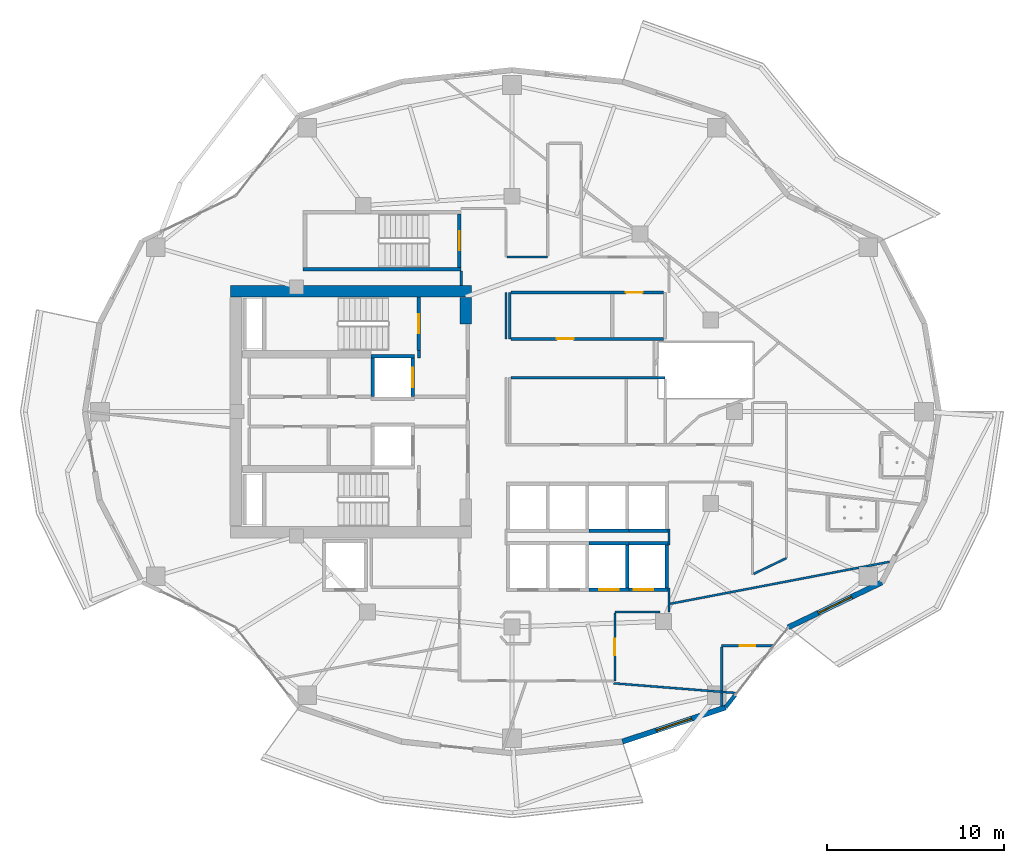
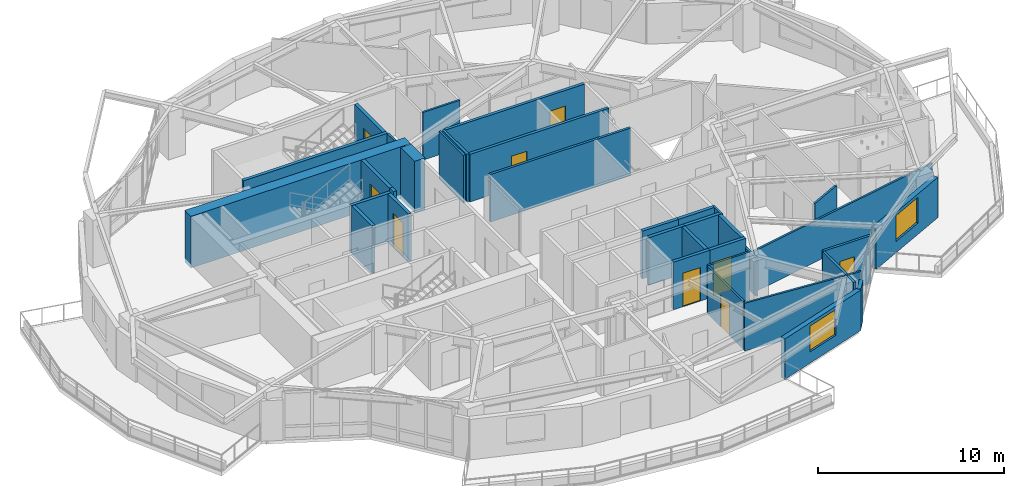
# One storey, part 9 of 18: 37 walls, 9 doors, 2 windows, 11 openings.
"""IFC4 building model written with IfcOpenShell, lengths in metres."""

from ifc_helpers import new_model, si_unit, direction, frame, frame_2d, origin, place, context, subcontext, project, spatial, rectangle, extrude, material, layer, layer_set, type_object, element, fill, save


model = new_model("IFC4")

# Units and contexts
model_context = context("Model", 3, precision=1e-05, world=origin(), true_north=direction((0.0, 1.0)))
body_context = subcontext(model_context, "Body", "Model", "MODEL_VIEW")
ifc_project = project(units=[si_unit("LENGTHUNIT", "METRE"), si_unit("AREAUNIT", "SQUARE_METRE"), si_unit("VOLUMEUNIT", "CUBIC_METRE"), si_unit("PLANEANGLEUNIT", "RADIAN"), si_unit("MASSUNIT", "GRAM", prefix="KILO")], contexts=[model_context])

# Site, building, storey
site_placement = place(None, origin())
site = spatial("IfcSite", under=ifc_project, at=site_placement, CompositionType="ELEMENT")
building_placement = place(site_placement, origin())
building = spatial("IfcBuilding", under=site, at=building_placement, Name="Kolvaren Gate Tower and Convention Centre", CompositionType="ELEMENT")
storey_placement = place(building_placement, frame((0.0, 0.0, 115.5)))
storey = spatial("IfcBuildingStorey", under=building, at=storey_placement, Name="L28", CompositionType="ELEMENT", Elevation=115.5)

# Wall
ifc_material_1 = material(Name="Autoclaved Aerated Masonry Blockwork Class 4 (4.0 MPa)", Category="masonry")
ifc_layer_1 = layer(ifc_material_1, 0.179931640625)
ifc_layer_set_1 = layer_set([ifc_layer_1], Name="Autoclaved Aerated Masonry Blockwork Class 4 (4.0 MPa)")
wall_type_1 = type_object("IfcWallType", Name="ARCH-WL-COMP-180", PredefinedType="SOLIDWALL", material=ifc_layer_set_1)
wall_1_placement = place(storey_placement, frame((24.85009765625, 30.0400390625, 0.0), z_axis=(0.0, 0.0, 1.0), x_axis=(0.0, 1.0, 0.0)))
element("IfcWall", 1, at=wall_1_placement, inside=storey, type_object=wall_type_1, Name="Interior Partition WL-L28-INT-002", PredefinedType="SOLIDWALL", context=body_context, shape_type="SweptSolid", body=[
    extrude(rectangle(XDim=0.419921875, YDim=0.179931640625, at=frame_2d((0.2099609375, 0.0))), origin(), (0.0, 0.0, 1.0), 3.1298828125),
])

# Wall, opening, door
wall_2_placement = place(storey_placement, frame((30.076904296875, 31.1201171875, 0.0), z_axis=(0.0, 0.0, 1.0), x_axis=(1.0, 0.0, 0.0)))
wall_2 = element("IfcWall", 2, at=wall_2_placement, inside=storey, type_object=wall_type_1, Name="Interior Partition WL-L28-INT-019", PredefinedType="SOLIDWALL", context=body_context, shape_type="SweptSolid", body=[
    extrude(rectangle(XDim=8.631103515625, YDim=0.179931640625, at=frame_2d((4.3154296875, 0.0))), origin(), (0.0, 0.0, 1.0), 3.1298828125),
])
opening_1_placement = place(wall_2_placement, frame((2.591552734375, 0.0, 0.0)))
opening_1 = element("IfcOpeningElement", 3, at=opening_1_placement, cuts=wall_2, Name="Opening DR-01", PredefinedType="OPENING", context=body_context, shape_type="SweptSolid", body=[
    extrude(rectangle(XDim=0.949951171875, YDim=2.10009765625, at=frame_2d((0.47509765625, 1.050048828125))), frame((0.0, 0.099853515625, 0.0), z_axis=(0.0, -1.0, 0.0), x_axis=(1.0, 0.0, 0.0)), (0.0, 0.0, 1.0), 0.199951171875),
])
ifc_material_2 = material(Name="Painted Architectural Steelwork ASTM A500 Grade C 345 MPa", Category="steel")
door_type_1 = type_object("IfcDoorType", Name="ARCH-DR-RISER-950", OperationType="SINGLE_SWING_RIGHT", PredefinedType="DOOR", material=ifc_material_2)
door_1_placement = place(opening_1_placement, origin())
door_1 = element("IfcDoor", 4, at=door_1_placement, inside=storey, type_object=door_type_1, Name="Steward Supply Store Door", OperationType="SINGLE_SWING_RIGHT", OverallHeight=2.10009765625, OverallWidth=0.949951171875, PredefinedType="DOOR", context=body_context, shape_type="SweptSolid", body=[
    extrude(rectangle(XDim=0.949951171875, YDim=2.10009765625, at=frame_2d((0.47509765625, 1.050048828125))), frame((0.0, 0.02490234375, 0.0), z_axis=(0.0, -1.0, 0.0), x_axis=(1.0, 0.0, 0.0)), (0.0, 0.0, 1.0), 0.050048828125),
])
fill(opening_1, door_1)

wall_3_placement = place(storey_placement, frame((30.076904296875, 33.75, 0.0), z_axis=(0.0, 0.0, 1.0), x_axis=(1.0, 0.0, 0.0)))
wall_3 = element("IfcWall", 5, at=wall_3_placement, inside=storey, type_object=wall_type_1, Name="Interior Partition WL-L28-INT-020", PredefinedType="SOLIDWALL", context=body_context, shape_type="SweptSolid", body=[
    extrude(rectangle(XDim=8.631103515625, YDim=0.179931640625, at=frame_2d((4.3154296875, 0.0))), origin(), (0.0, 0.0, 1.0), 3.1298828125),
])
opening_2_placement = place(wall_3_placement, frame((6.4970703125, 0.0, 0.0)))
opening_2 = element("IfcOpeningElement", 6, at=opening_2_placement, cuts=wall_3, Name="Opening DR-01", PredefinedType="OPENING", context=body_context, shape_type="SweptSolid", body=[
    extrude(rectangle(XDim=0.949951171875, YDim=2.10009765625, at=frame_2d((0.47509765625, 1.050048828125))), frame((0.0, 0.099853515625, 0.0), z_axis=(0.0, -1.0, 0.0), x_axis=(1.0, 0.0, 0.0)), (0.0, 0.0, 1.0), 0.199951171875),
])
door_2_placement = place(opening_2_placement, origin())
door_2 = element("IfcDoor", 7, at=door_2_placement, inside=storey, type_object=door_type_1, Name="Floor Telecom Switch Room Door", OperationType="SINGLE_SWING_LEFT", OverallHeight=2.10009765625, OverallWidth=0.949951171875, PredefinedType="DOOR", context=body_context, shape_type="SweptSolid", body=[
    extrude(rectangle(XDim=0.949951171875, YDim=2.10009765625, at=frame_2d((0.47509765625, 1.050048828125))), frame((0.0, 0.02490234375, 0.0), z_axis=(0.0, -1.0, 0.0), x_axis=(1.0, 0.0, 0.0)), (0.0, 0.0, 1.0), 0.050048828125),
])
fill(opening_2, door_2)

# Walls
ifc_material_3 = material(Name="Fire-Rated Acoustic Gypsum Stud Partition", Category="gypsum")
ifc_layer_2 = layer(ifc_material_3, 0.1201171875)
ifc_layer_set_2 = layer_set([ifc_layer_2], Name="Fire-Rated Acoustic Gypsum Stud Partition")
wall_type_2 = type_object("IfcWallType", Name="ARCH-WL-PART-120", PredefinedType="PARTITIONING", material=ifc_layer_set_2)
wall_4_placement = place(storey_placement, frame((39.02001953125, 15.64990234375, 0.0), z_axis=(0.0, 0.0, 1.0), x_axis=(0.0, 1.0, 0.0)))
element("IfcWall", 8, at=wall_4_placement, inside=storey, type_object=wall_type_2, Name="Interior Partition WL-L28-INT-022", PredefinedType="PARTITIONING", context=body_context, shape_type="SweptSolid", body=[
    extrude(rectangle(XDim=1.360107421875, YDim=0.1201171875, at=frame_2d((0.68017578125, 0.0))), origin(), (0.0, 0.0, 1.0), 2.5048828125),
])
wall_5_placement = place(storey_placement, frame((39.02001953125, 19.43994140625, 0.0), z_axis=(0.0, 0.0, 1.0), x_axis=(0.0, 1.0, 0.0)))
element("IfcWall", 9, at=wall_5_placement, inside=storey, type_object=wall_type_2, Name="Interior Partition WL-L28-INT-022 (2)", PredefinedType="PARTITIONING", context=body_context, shape_type="SweptSolid", body=[
    extrude(rectangle(XDim=0.920166015625, YDim=0.1201171875, at=frame_2d((0.4599609375, 0.0))), origin(), (0.0, 0.0, 1.0), 3.1298828125),
])
wall_6_placement = place(storey_placement, frame((35.949951171875, 15.64990234375, 0.0), z_axis=(0.0, 0.0, 1.0), x_axis=(1.0, 0.0, 0.0)))
element("IfcWall", 10, at=wall_6_placement, inside=storey, type_object=wall_type_2, Name="Interior Partition WL-L28-INT-025", PredefinedType="PARTITIONING", context=body_context, shape_type="SweptSolid", body=[
    extrude(rectangle(XDim=2.568115234375, YDim=0.1201171875, at=frame_2d((1.2841796875, 0.0))), origin(), (0.0, 0.0, 1.0), 3.1298828125),
])

# Wall, opening, door
wall_7_placement = place(storey_placement, frame((35.949951171875, 11.75, 0.0), z_axis=(0.0, 0.0, 1.0), x_axis=(0.0, 1.0, 0.0)))
wall_7 = element("IfcWall", 11, at=wall_7_placement, inside=storey, type_object=wall_type_2, Name="Interior Partition WL-L28-INT-026", PredefinedType="PARTITIONING", context=body_context, shape_type="SweptSolid", body=[
    extrude(rectangle(XDim=3.837890625, YDim=0.1201171875, at=frame_2d((1.9189453125, 0.0))), origin(), (0.0, 0.0, 1.0), 3.1298828125),
])
opening_3_placement = place(wall_7_placement, frame((1.444091796875, 0.0, 0.0)))
opening_3 = element("IfcOpeningElement", 12, at=opening_3_placement, cuts=wall_7, Name="Opening DR-01", PredefinedType="OPENING", context=body_context, shape_type="SweptSolid", body=[
    extrude(rectangle(XDim=0.949951171875, YDim=2.10009765625, at=frame_2d((0.47509765625, 1.050048828125))), frame((0.0, 0.070068359375, 0.0), z_axis=(0.0, -1.0, 0.0), x_axis=(1.0, 0.0, 0.0)), (0.0, 0.0, 1.0), 0.14013671875),
])
door_3_placement = place(opening_3_placement, origin())
door_3 = element("IfcDoor", 13, at=door_3_placement, inside=storey, type_object=door_type_1, Name="Deluxe Hotel Suite (HTL-L28-04) Door", OperationType="SINGLE_SWING_LEFT", OverallHeight=2.10009765625, OverallWidth=0.949951171875, PredefinedType="DOOR", context=body_context, shape_type="SweptSolid", body=[
    extrude(rectangle(XDim=0.949951171875, YDim=2.10009765625, at=frame_2d((0.47509765625, 1.050048828125))), frame((0.0, 0.02490234375, 0.0), z_axis=(0.0, -1.0, 0.0), x_axis=(1.0, 0.0, 0.0)), (0.0, 0.0, 1.0), 0.050048828125),
])
fill(opening_3, door_3)

# Walls
wall_8_placement = place(storey_placement, frame((27.25, 34.152099609375, 0.0), z_axis=(0.0, 0.0, 1.0), x_axis=(0.0, 1.0, 0.0)))
element("IfcWall", 14, at=wall_8_placement, inside=storey, type_object=wall_type_2, Name="Interior Partition WL-L28-INT-028", PredefinedType="PARTITIONING", context=body_context, shape_type="SweptSolid", body=[
    extrude(rectangle(XDim=0.805908203125, YDim=0.1201171875, at=frame_2d((0.40283203125, 0.0))), origin(), (0.0, 0.0, 1.0), 3.1298828125),
])
wall_9_placement = place(storey_placement, frame((29.780029296875, 31.1201171875, 0.0), z_axis=(0.0, 0.0, 1.0), x_axis=(0.0, 1.0, 0.0)))
element("IfcWall", 15, at=wall_9_placement, inside=storey, type_object=wall_type_2, Name="Interior Partition WL-L28-INT-032", PredefinedType="PARTITIONING", context=body_context, shape_type="SweptSolid", body=[
    extrude(rectangle(XDim=2.6298828125, YDim=0.1201171875, at=frame_2d((1.31494140625, 0.0))), origin(), (0.0, 0.0, 1.0), 3.1298828125),
])
wall_10_placement = place(storey_placement, frame((29.842041015625, 35.75, 0.0), z_axis=(0.0, 0.0, 1.0), x_axis=(1.0, 0.0, 0.0)))
element("IfcWall", 16, at=wall_10_placement, inside=storey, type_object=wall_type_2, Name="Interior Partition WL-L28-INT-034", PredefinedType="PARTITIONING", context=body_context, shape_type="SweptSolid", body=[
    extrude(rectangle(XDim=2.307861328125, YDim=0.1201171875, at=frame_2d((1.15380859375, 0.0))), origin(), (0.0, 0.0, 1.0), 3.1298828125),
])
wall_11_placement = place(storey_placement, frame((43.81201171875, 17.808837890625, 0.0), z_axis=(0.0, 0.0, 1.0), x_axis=(0.901467594949, 0.432846595525, 0.0)))
element("IfcWall", 17, at=wall_11_placement, inside=storey, type_object=wall_type_2, Name="Interior Partition WL-L28-INT-044", PredefinedType="PARTITIONING", context=body_context, shape_type="SweptSolid", body=[
    extrude(rectangle(XDim=2.06103515625, YDim=0.1201171875, at=frame_2d((1.030517578125, 0.0))), origin(), (0.0, 0.0, 1.0), 3.1298828125),
])
wall_12_placement = place(storey_placement, frame((39.08203125, 16.113525390625, 0.0), z_axis=(0.0, 0.0, 1.0), x_axis=(0.982162094293, 0.188036221334, 0.0)))
element("IfcWall", 18, at=wall_12_placement, inside=storey, type_object=wall_type_2, Name="Interior Partition WL-L28-INT-054", PredefinedType="PARTITIONING", context=body_context, shape_type="SweptSolid", body=[
    extrude(rectangle(XDim=12.648681640625, YDim=0.1201171875, at=frame_2d((6.32421875, 0.0))), origin(), (0.0, 0.0, 1.0), 2.702392578125),
])
wall_13_placement = place(storey_placement, frame((35.887939453125, 11.6103515625, 0.0), z_axis=(0.0, 0.0, 1.0), x_axis=(0.996863812192, -0.079136211323, 0.0)))
element("IfcWall", 19, at=wall_13_placement, inside=storey, type_object=wall_type_2, Name="Interior Partition WL-L28-INT-056", PredefinedType="PARTITIONING", context=body_context, shape_type="SweptSolid", body=[
    extrude(rectangle(XDim=6.962890625, YDim=0.1201171875, at=frame_2d((3.4814453125, 0.0))), origin(), (0.0, 0.0, 1.0), 3.1298828125),
])
ifc_material_4 = material(Name="Bogota Sabana Bush-Hammered Sandstone Cladding", Category="masonry")
ifc_layer_3 = layer(ifc_material_4, 0.219970703125)
ifc_layer_set_3 = layer_set([ifc_layer_3], Name="Bogota Sabana Bush-Hammered Sandstone Cladding")
wall_type_3 = type_object("IfcWallType", Name="ARCH-WL-PIER-220", PredefinedType="SOLIDWALL", material=ifc_layer_set_3)
wall_14_placement = place(storey_placement, frame((42.21875, 10.242431640625, 0.0), z_axis=(0.0, 0.0, 1.0), x_axis=(0.61650363284, 0.787352062736, 0.0)))
element("IfcWall", 20, at=wall_14_placement, inside=storey, type_object=wall_type_3, Name="Tower L28 Unitised Curtain Wall CW-HTL-UNIT Bay 20 Left Column Pier Wrap", PredefinedType="SOLIDWALL", context=body_context, shape_type="SweptSolid", body=[
    extrude(rectangle(XDim=0.8759765625, YDim=0.219970703125, at=frame_2d((0.43798828125, 0.0))), origin(), (0.0, 0.0, 1.0), 2.653076171875),
])
ifc_layer_4 = layer(ifc_material_1, 0.199951171875)
ifc_layer_set_4 = layer_set([ifc_layer_4], Name="Autoclaved Aerated Masonry Blockwork Class 4 (4.0 MPa)")
wall_type_4 = type_object("IfcWallType", Name="ARCH-WL-SHAFT-200", PredefinedType="SOLIDWALL", material=ifc_layer_set_4)
wall_15_placement = place(storey_placement, frame((22.14990234375, 30.139892578125, 0.0), z_axis=(0.0, 0.0, 1.0), x_axis=(1.0, 0.0, 0.0)))
element("IfcWall", 21, at=wall_15_placement, inside=storey, type_object=wall_type_4, Name="Elevator FF-01 L28 Fire Shaft Wall N", PredefinedType="SOLIDWALL", context=body_context, shape_type="SweptSolid", body=[
    extrude(rectangle(XDim=2.4501953125, YDim=0.199951171875, at=frame_2d((1.22509765625, 0.0))), origin(), (0.0, 0.0, 1.0), 3.1298828125),
])
wall_16_placement = place(storey_placement, frame((22.25, 27.85009765625, 0.0), z_axis=(0.0, 0.0, 1.0), x_axis=(0.0, 1.0, 0.0)))
element("IfcWall", 22, at=wall_16_placement, inside=storey, type_object=wall_type_4, Name="Elevator FF-01 L28 Fire Shaft Wall W", PredefinedType="SOLIDWALL", context=body_context, shape_type="SweptSolid", body=[
    extrude(rectangle(XDim=2.179931640625, YDim=0.199951171875, at=frame_2d((1.08984375, 0.0))), origin(), (0.0, 0.0, 1.0), 3.1298828125),
])

# Wall, opening, door
wall_17_placement = place(storey_placement, frame((24.5, 27.85009765625, 0.0), z_axis=(0.0, 0.0, 1.0), x_axis=(0.0, 1.0, 0.0)))
wall_17 = element("IfcWall", 23, at=wall_17_placement, inside=storey, type_object=wall_type_4, Name="Elevator FF-01 L28 Fire Shaft Wall E", PredefinedType="SOLIDWALL", context=body_context, shape_type="SweptSolid", body=[
    extrude(rectangle(XDim=2.179931640625, YDim=0.199951171875, at=frame_2d((1.08984375, 0.0))), origin(), (0.0, 0.0, 1.0), 3.1298828125),
])
opening_4_placement = place(wall_17_placement, frame((0.5400390625, 0.0, 0.0)))
opening_4 = element("IfcOpeningElement", 24, at=opening_4_placement, cuts=wall_17, Name="Opening LD", PredefinedType="OPENING", context=body_context, shape_type="SweptSolid", body=[
    extrude(rectangle(XDim=1.10009765625, YDim=2.199951171875, at=frame_2d((0.550048828125, 1.10009765625))), frame((0.0, 0.10986328125, 0.0), z_axis=(0.0, -1.0, 0.0), x_axis=(1.0, 0.0, 0.0)), (0.0, 0.0, 1.0), 0.219970703125),
])
ifc_material_5 = material(Name="Brushed Stainless Steel Grade 316L", Category="steel")
door_type_2 = type_object("IfcDoorType", Name="ARCH-DR-LIFT-1100", OperationType="SLIDING_TO_LEFT", PredefinedType="DOOR", material=ifc_material_5)
door_4_placement = place(opening_4_placement, origin())
door_4 = element("IfcDoor", 25, at=door_4_placement, inside=storey, type_object=door_type_2, Name="Elevator FF-01 L28 Sliding Landing Door", OperationType="SLIDING_TO_LEFT", OverallHeight=2.199951171875, OverallWidth=1.10009765625, PredefinedType="DOOR", context=body_context, shape_type="SweptSolid", body=[
    extrude(rectangle(XDim=1.10009765625, YDim=2.199951171875, at=frame_2d((0.550048828125, 1.10009765625))), frame((0.0, 0.02490234375, 0.0), z_axis=(0.0, -1.0, 0.0), x_axis=(1.0, 0.0, 0.0)), (0.0, 0.0, 1.0), 0.050048828125),
])
fill(opening_4, door_4)

# Wall
wall_18_placement = place(storey_placement, frame((34.5, 19.550048828125, 0.0), z_axis=(0.0, 0.0, 1.0), x_axis=(1.0, 0.0, 0.0)))
element("IfcWall", 26, at=wall_18_placement, inside=storey, type_object=wall_type_4, Name="Elevator PL-07 L28 Fire Shaft Wall N", PredefinedType="SOLIDWALL", context=body_context, shape_type="SweptSolid", body=[
    extrude(rectangle(XDim=2.25, YDim=0.199951171875, at=frame_2d((1.125, 0.0))), origin(), (0.0, 0.0, 1.0), 3.1298828125),
])

# Wall, opening, door
wall_19_placement = place(storey_placement, frame((34.5, 16.89990234375, 0.0), z_axis=(0.0, 0.0, 1.0), x_axis=(1.0, 0.0, 0.0)))
wall_19 = element("IfcWall", 27, at=wall_19_placement, inside=storey, type_object=wall_type_4, Name="Elevator PL-07 L28 Fire Shaft Wall S", PredefinedType="SOLIDWALL", context=body_context, shape_type="SweptSolid", body=[
    extrude(rectangle(XDim=2.25, YDim=0.199951171875, at=frame_2d((1.125, 0.0))), origin(), (0.0, 0.0, 1.0), 3.1298828125),
])
opening_5_placement = place(wall_19_placement, frame((0.574951171875, 0.0, 0.0)))
opening_5 = element("IfcOpeningElement", 28, at=opening_5_placement, cuts=wall_19, Name="Opening LD", PredefinedType="OPENING", context=body_context, shape_type="SweptSolid", body=[
    extrude(rectangle(XDim=1.10009765625, YDim=2.199951171875, at=frame_2d((0.550048828125, 1.10009765625))), frame((0.0, 0.10986328125, 0.0), z_axis=(0.0, -1.0, 0.0), x_axis=(1.0, 0.0, 0.0)), (0.0, 0.0, 1.0), 0.219970703125),
])
door_5_placement = place(opening_5_placement, origin())
door_5 = element("IfcDoor", 29, at=door_5_placement, inside=storey, type_object=door_type_2, Name="Elevator PL-07 L28 Sliding Landing Door", OperationType="SLIDING_TO_LEFT", OverallHeight=2.199951171875, OverallWidth=1.10009765625, PredefinedType="DOOR", context=body_context, shape_type="SweptSolid", body=[
    extrude(rectangle(XDim=1.10009765625, YDim=2.199951171875, at=frame_2d((0.550048828125, 1.10009765625))), frame((0.0, 0.02490234375, 0.0), z_axis=(0.0, -1.0, 0.0), x_axis=(1.0, 0.0, 0.0)), (0.0, 0.0, 1.0), 0.050048828125),
])
fill(opening_5, door_5)

# Walls
wall_20_placement = place(storey_placement, frame((36.64990234375, 17.010009765625, 0.0), z_axis=(0.0, 0.0, 1.0), x_axis=(0.0, 1.0, 0.0)))
element("IfcWall", 30, at=wall_20_placement, inside=storey, type_object=wall_type_4, Name="Elevator PL-07 L28 Fire Shaft Wall E", PredefinedType="SOLIDWALL", context=body_context, shape_type="SweptSolid", body=[
    extrude(rectangle(XDim=2.429931640625, YDim=0.199951171875, at=frame_2d((1.21484375, 0.0))), origin(), (0.0, 0.0, 1.0), 3.1298828125),
])
wall_21_placement = place(storey_placement, frame((36.75, 19.550048828125, 0.0), z_axis=(0.0, 0.0, 1.0), x_axis=(1.0, 0.0, 0.0)))
element("IfcWall", 31, at=wall_21_placement, inside=storey, type_object=wall_type_4, Name="Elevator PL-08 L28 Fire Shaft Wall N", PredefinedType="SOLIDWALL", context=body_context, shape_type="SweptSolid", body=[
    extrude(rectangle(XDim=2.25, YDim=0.199951171875, at=frame_2d((1.125, 0.0))), origin(), (0.0, 0.0, 1.0), 3.1298828125),
])

# Wall, opening, door
wall_22_placement = place(storey_placement, frame((36.75, 16.89990234375, 0.0), z_axis=(0.0, 0.0, 1.0), x_axis=(1.0, 0.0, 0.0)))
wall_22 = element("IfcWall", 32, at=wall_22_placement, inside=storey, type_object=wall_type_4, Name="Elevator PL-08 L28 Fire Shaft Wall S", PredefinedType="SOLIDWALL", context=body_context, shape_type="SweptSolid", body=[
    extrude(rectangle(XDim=2.25, YDim=0.199951171875, at=frame_2d((1.125, 0.0))), origin(), (0.0, 0.0, 1.0), 3.1298828125),
])
opening_6_placement = place(wall_22_placement, frame((0.280029296875, 0.0, 0.0)))
opening_6 = element("IfcOpeningElement", 33, at=opening_6_placement, cuts=wall_22, Name="Opening LD", PredefinedType="OPENING", context=body_context, shape_type="SweptSolid", body=[
    extrude(rectangle(XDim=1.10009765625, YDim=2.199951171875, at=frame_2d((0.550048828125, 1.10009765625))), frame((0.0, 0.10986328125, 0.0), z_axis=(0.0, -1.0, 0.0), x_axis=(1.0, 0.0, 0.0)), (0.0, 0.0, 1.0), 0.219970703125),
])
door_6_placement = place(opening_6_placement, origin())
door_6 = element("IfcDoor", 34, at=door_6_placement, inside=storey, type_object=door_type_2, Name="Elevator PL-08 L28 Sliding Landing Door", OperationType="SLIDING_TO_LEFT", OverallHeight=2.199951171875, OverallWidth=1.10009765625, PredefinedType="DOOR", context=body_context, shape_type="SweptSolid", body=[
    extrude(rectangle(XDim=1.10009765625, YDim=2.199951171875, at=frame_2d((0.550048828125, 1.10009765625))), frame((0.0, 0.02490234375, 0.0), z_axis=(0.0, -1.0, 0.0), x_axis=(1.0, 0.0, 0.0)), (0.0, 0.0, 1.0), 0.050048828125),
])
fill(opening_6, door_6)

# Walls
wall_23_placement = place(storey_placement, frame((38.89990234375, 17.010009765625, 0.0), z_axis=(0.0, 0.0, 1.0), x_axis=(0.0, 1.0, 0.0)))
element("IfcWall", 35, at=wall_23_placement, inside=storey, type_object=wall_type_4, Name="Elevator PL-08 L28 Fire Shaft Wall E", PredefinedType="SOLIDWALL", context=body_context, shape_type="SweptSolid", body=[
    extrude(rectangle(XDim=2.429931640625, YDim=0.199951171875, at=frame_2d((1.21484375, 0.0))), origin(), (0.0, 0.0, 1.0), 3.1298828125),
])
for number, where, z_axis, x_axis, name in (
    (36, (34.5, 20.25, 0.0), (0.0, 0.0, 1.0), (1.0, 0.0, 0.0), "Elevator PL-11 L28 Fire Shaft Wall S"),
    (37, (36.75, 20.25, 0.0), (0.0, 0.0, 1.0), (1.0, 0.0, 0.0), "Elevator PL-12 L28 Fire Shaft Wall S"),
):
    element("IfcWall", number, at=place(storey_placement, frame(where, z_axis=z_axis, x_axis=x_axis)), inside=storey, type_object=wall_type_4, Name=name, PredefinedType="SOLIDWALL", context=body_context, shape_type="SweptSolid", body=[
        extrude(rectangle(XDim=2.25, YDim=0.199951171875, at=frame_2d((1.125, 0.0))), origin(), (0.0, 0.0, 1.0), 3.1298828125),
    ])

# Wall, opening, window
ifc_material_6 = material(Name="Piedmont Cream Honed Limestone Cladding", Category="masonry")
ifc_layer_5 = layer(ifc_material_6, 0.300048828125)
ifc_layer_set_5 = layer_set([ifc_layer_5], Name="Piedmont Cream Honed Limestone Cladding")
wall_type_5 = type_object("IfcWallType", Name="ARCH-WL-STONE-300", PredefinedType="SOLIDWALL", material=ifc_layer_set_5)
wall_24_placement = place(storey_placement, frame((36.38525390625, 8.309326171875, 0.0), z_axis=(0.0, 0.0, 1.0), x_axis=(0.949238009374, 0.314558741032, 0.0)))
wall_24 = element("IfcWall", 38, at=wall_24_placement, inside=storey, type_object=wall_type_5, Name="Tower L28 Honed Stone Spandrel Wall EW-19", PredefinedType="SOLIDWALL", context=body_context, shape_type="SweptSolid", body=[
    extrude(rectangle(XDim=6.1455078125, YDim=0.300048828125, at=frame_2d((3.07275390625, 0.0))), origin(), (0.0, 0.0, 1.0), 2.653076171875),
])
opening_7_placement = place(wall_24_placement, frame((2.02294921875, 0.0, 0.739990234375)))
opening_7 = element("IfcOpeningElement", 39, at=opening_7_placement, cuts=wall_24, Name="Opening W-02", PredefinedType="OPENING", context=body_context, shape_type="SweptSolid", body=[
    extrude(rectangle(XDim=2.10009765625, YDim=1.699951171875, at=frame_2d((1.050048828125, 0.85009765625))), frame((0.0, 0.159912109375, 0.0), z_axis=(0.0, -1.0, 0.0), x_axis=(1.0, 0.0, 0.0)), (0.0, 0.0, 1.0), 0.320068359375),
])
ifc_material_7 = material(Name="Low-E Triple Insulated Glazing Unit 44 mm", Category="glass")
window_type = type_object("IfcWindowType", Name="ARCH-WN-HTL-2100", PartitioningType="SINGLE_PANEL", PredefinedType="WINDOW", material=ifc_material_7)
window_1_placement = place(opening_7_placement, origin())
window_1 = element("IfcWindow", 40, at=window_1_placement, inside=storey, type_object=window_type, Name="Tower L28 Punched Stone Facade Window W-19", OverallHeight=1.699951171875, OverallWidth=2.10009765625, PartitioningType="SINGLE_PANEL", PredefinedType="WINDOW", context=body_context, shape_type="SweptSolid", body=[
    extrude(rectangle(XDim=2.10009765625, YDim=1.699951171875, at=frame_2d((1.050048828125, 0.85009765625))), frame((0.0, 0.030029296875, 0.0), z_axis=(0.0, -1.0, 0.0), x_axis=(1.0, 0.0, 0.0)), (0.0, 0.0, 1.0), 0.06005859375),
])
fill(opening_7, window_1)

wall_25_placement = place(storey_placement, frame((45.768798828125, 14.777099609375, 0.0), z_axis=(0.0, 0.0, 1.0), x_axis=(0.901370184739, 0.433049408339, 0.0)))
wall_25 = element("IfcWall", 41, at=wall_25_placement, inside=storey, type_object=wall_type_5, Name="Tower L28 Honed Stone Spandrel Wall EW-21", PredefinedType="SOLIDWALL", context=body_context, shape_type="SweptSolid", body=[
    extrude(rectangle(XDim=5.883544921875, YDim=0.300048828125, at=frame_2d((2.94189453125, 0.0))), origin(), (0.0, 0.0, 1.0), 2.653076171875),
])
opening_8_placement = place(wall_25_placement, frame((1.89208984375, 0.0, 0.739990234375)))
opening_8 = element("IfcOpeningElement", 42, at=opening_8_placement, cuts=wall_25, Name="Opening W-02", PredefinedType="OPENING", context=body_context, shape_type="SweptSolid", body=[
    extrude(rectangle(XDim=2.10009765625, YDim=1.699951171875, at=frame_2d((1.050048828125, 0.85009765625))), frame((0.0, 0.159912109375, 0.0), z_axis=(0.0, -1.0, 0.0), x_axis=(1.0, 0.0, 0.0)), (0.0, 0.0, 1.0), 0.320068359375),
])
window_2_placement = place(opening_8_placement, origin())
window_2 = element("IfcWindow", 43, at=window_2_placement, inside=storey, type_object=window_type, Name="Tower L28 Punched Stone Facade Window W-21", OverallHeight=1.699951171875, OverallWidth=2.10009765625, PartitioningType="SINGLE_PANEL", PredefinedType="WINDOW", context=body_context, shape_type="SweptSolid", body=[
    extrude(rectangle(XDim=2.10009765625, YDim=1.699951171875, at=frame_2d((1.050048828125, 0.85009765625))), frame((0.0, 0.030029296875, 0.0), z_axis=(0.0, -1.0, 0.0), x_axis=(1.0, 0.0, 0.0)), (0.0, 0.0, 1.0), 0.06005859375),
])
fill(opening_8, window_2)

# Walls
ifc_material_8 = material(Name="Moisture-Resistant Cement-Board Acoustic Partition", Category="gypsum")
ifc_layer_6 = layer(ifc_material_8, 0.14990234375)
ifc_layer_set_6 = layer_set([ifc_layer_6], Name="Moisture-Resistant Cement-Board Acoustic Partition")
wall_type_6 = type_object("IfcWallType", Name="ARCH-WL-WET-150", PredefinedType="PARTITIONING", material=ifc_layer_set_6)
wall_26_placement = place(storey_placement, frame((30.0, 31.1201171875, 0.0), z_axis=(0.0, 0.0, 1.0), x_axis=(0.0, 1.0, 0.0)))
element("IfcWall", 44, at=wall_26_placement, inside=storey, type_object=wall_type_6, Name="Interior Partition WL-L28-INT-014", PredefinedType="PARTITIONING", context=body_context, shape_type="SweptSolid", body=[
    extrude(rectangle(XDim=2.6298828125, YDim=0.14990234375, at=frame_2d((1.31494140625, 0.0))), origin(), (0.0, 0.0, 1.0), 3.1298828125),
])
wall_27_placement = place(storey_placement, frame((30.076904296875, 28.919921875, 0.0), z_axis=(0.0, 0.0, 1.0), x_axis=(1.0, 0.0, 0.0)))
element("IfcWall", 45, at=wall_27_placement, inside=storey, type_object=wall_type_6, Name="Interior Partition WL-L28-INT-015", PredefinedType="PARTITIONING", context=body_context, shape_type="SweptSolid", body=[
    extrude(rectangle(XDim=8.72314453125, YDim=0.14990234375, at=frame_2d((4.361572265625, 0.0))), origin(), (0.0, 0.0, 1.0), 3.1298828125),
])

# Wall, opening, door
wall_28_placement = place(storey_placement, frame((42.0, 13.73388671875, 0.0), z_axis=(0.0, 0.0, 1.0), x_axis=(1.0, 0.0, 0.0)))
wall_28 = element("IfcWall", 46, at=wall_28_placement, inside=storey, type_object=wall_type_6, Name="Interior Partition WL-L28-INT-058", PredefinedType="PARTITIONING", context=body_context, shape_type="SweptSolid", body=[
    extrude(rectangle(XDim=2.923095703125, YDim=0.14990234375, at=frame_2d((1.46142578125, 0.0))), origin(), (0.0, 0.0, 1.0), 3.1298828125),
])
opening_9_placement = place(wall_28_placement, frame((1.011474609375, 0.0, 0.0)))
opening_9 = element("IfcOpeningElement", 47, at=opening_9_placement, cuts=wall_28, Name="Opening DW-01", PredefinedType="OPENING", context=body_context, shape_type="SweptSolid", body=[
    extrude(rectangle(XDim=0.89990234375, YDim=2.10009765625, at=frame_2d((0.449951171875, 1.050048828125))), frame((0.0, 0.0849609375, 0.0), z_axis=(0.0, -1.0, 0.0), x_axis=(1.0, 0.0, 0.0)), (0.0, 0.0, 1.0), 0.169921875),
])
ifc_material_9 = material(Name="FSC Andean Oak Engineered Veneer Door Leaf", Category="wood")
door_type_3 = type_object("IfcDoorType", Name="ARCH-DR-WC-900", OperationType="SINGLE_SWING_RIGHT", PredefinedType="DOOR", material=ifc_material_9)
door_7_placement = place(opening_9_placement, origin())
door_7 = element("IfcDoor", 48, at=door_7_placement, inside=storey, type_object=door_type_3, Name="En-suite Bathroom (HTL-L28-04) Door", OperationType="SINGLE_SWING_LEFT", OverallHeight=2.10009765625, OverallWidth=0.89990234375, PredefinedType="DOOR", context=body_context, shape_type="SweptSolid", body=[
    extrude(rectangle(XDim=0.89990234375, YDim=2.10009765625, at=frame_2d((0.449951171875, 1.050048828125))), frame((0.0, 0.02490234375, 0.0), z_axis=(0.0, -1.0, 0.0), x_axis=(1.0, 0.0, 0.0)), (0.0, 0.0, 1.0), 0.050048828125),
])
fill(opening_9, door_7)

# Walls
wall_29_placement = place(storey_placement, frame((42.0, 10.330078125, 0.0), z_axis=(0.0, 0.0, 1.0), x_axis=(0.0, 1.0, 0.0)))
element("IfcWall", 49, at=wall_29_placement, inside=storey, type_object=wall_type_6, Name="Interior Partition WL-L28-INT-059", PredefinedType="PARTITIONING", context=body_context, shape_type="SweptSolid", body=[
    extrude(rectangle(XDim=0.73291015625, YDim=0.14990234375, at=frame_2d((0.366455078125, 0.0))), origin(), (0.0, 0.0, 1.0), 3.1298828125),
])
wall_30_placement = place(storey_placement, frame((42.0, 11.187255859375, 0.0), z_axis=(0.0, 0.0, 1.0), x_axis=(0.0, 1.0, 0.0)))
element("IfcWall", 50, at=wall_30_placement, inside=storey, type_object=wall_type_6, Name="Interior Partition WL-L28-INT-059 (2)", PredefinedType="PARTITIONING", context=body_context, shape_type="SweptSolid", body=[
    extrude(rectangle(XDim=2.4697265625, YDim=0.14990234375, at=frame_2d((1.23486328125, 0.0))), origin(), (0.0, 0.0, 1.0), 3.1298828125),
])
ifc_material_10 = material(Name="Concrete C60/75", Category="concrete")
ifc_layer_7 = layer(ifc_material_10, 0.64990234375)
ifc_layer_set_7 = layer_set([ifc_layer_7], Name="Concrete C60/75")
wall_type_7 = type_object("IfcWallType", Name="STR-WL-CORE-650", PredefinedType="SHEAR", material=ifc_layer_set_7)
wall_31_placement = place(storey_placement, frame((14.175048828125, 33.824951171875, -0.27001953125), z_axis=(0.0, 0.0, 1.0), x_axis=(1.0, 0.0, 0.0)))
element("IfcWall", 51, at=wall_31_placement, inside=storey, type_object=wall_type_7, Name="Tower L28 Offset Core Shear Wall N", PredefinedType="SHEAR", context=body_context, shape_type="SweptSolid", body=[
    extrude(rectangle(XDim=13.64990234375, YDim=0.64990234375, at=frame_2d((6.824951171875, 0.0))), origin(), (0.0, 0.0, 1.0), 3.39990234375),
])
wall_32_placement = place(storey_placement, frame((27.5, 31.949951171875, -0.27001953125), z_axis=(0.0, 0.0, 1.0), x_axis=(0.0, 1.0, 0.0)))
element("IfcWall", 52, at=wall_32_placement, inside=storey, type_object=wall_type_7, Name="Tower L28 Offset Core Shear Wall EN", PredefinedType="SHEAR", context=body_context, shape_type="SweptSolid", body=[
    extrude(rectangle(XDim=1.5, YDim=0.64990234375, at=frame_2d((0.75, 0.0))), origin(), (0.0, 0.0, 1.0), 3.39990234375),
])

# Wall, opening, door
ifc_material_11 = material(Name="Concrete C50/60", Category="concrete")
ifc_layer_8 = layer(ifc_material_11, 0.199951171875)
ifc_layer_set_8 = layer_set([ifc_layer_8], Name="Concrete C50/60")
wall_type_8 = type_object("IfcWallType", Name="STR-WL-SHAFT-200", PredefinedType="SHEAR", material=ifc_layer_set_8)
wall_33_placement = place(storey_placement, frame((24.85009765625, 30.4599609375, -0.27001953125), z_axis=(0.0, 0.0, 1.0), x_axis=(0.0, 1.0, 0.0)))
wall_33 = element("IfcWall", 53, at=wall_33_placement, inside=storey, type_object=wall_type_8, Name="Tower North Exit Stair ST-T1 L28 Structural Shear Enclosure Wall NEAR", PredefinedType="SHEAR", context=body_context, shape_type="SweptSolid", body=[
    extrude(rectangle(XDim=3.0380859375, YDim=0.199951171875, at=frame_2d((1.51904296875, 0.0))), origin(), (0.0, 0.0, 1.0), 3.39990234375),
])
opening_10_placement = place(wall_33_placement, frame((0.968994140625, 0.0, 0.27001953125)))
opening_10 = element("IfcOpeningElement", 54, at=opening_10_placement, cuts=wall_33, Name="Opening DS-01", PredefinedType="OPENING", context=body_context, shape_type="SweptSolid", body=[
    extrude(rectangle(XDim=1.10009765625, YDim=2.14990234375, at=frame_2d((0.550048828125, 1.074951171875))), frame((0.0, 0.10986328125, 0.0), z_axis=(0.0, -1.0, 0.0), x_axis=(1.0, 0.0, 0.0)), (0.0, 0.0, 1.0), 0.219970703125),
])
door_type_4 = type_object("IfcDoorType", Name="ARCH-DR-STAIR-1100", OperationType="SINGLE_SWING_LEFT", PredefinedType="DOOR", material=ifc_material_2)
door_8_placement = place(opening_10_placement, origin())
door_8 = element("IfcDoor", 55, at=door_8_placement, inside=storey, type_object=door_type_4, Name="Tower North Exit Stair ST-T1 L28 Fire Exit Stair Door", OperationType="SINGLE_SWING_RIGHT", OverallHeight=2.14990234375, OverallWidth=1.10009765625, PredefinedType="DOOR", context=body_context, shape_type="SweptSolid", body=[
    extrude(rectangle(XDim=1.10009765625, YDim=2.14990234375, at=frame_2d((0.550048828125, 1.074951171875))), frame((0.0, 0.02490234375, 0.0), z_axis=(0.0, -1.0, 0.0), x_axis=(1.0, 0.0, 0.0)), (0.0, 0.0, 1.0), 0.050048828125),
])
fill(opening_10, door_8)

wall_34_placement = place(storey_placement, frame((27.14990234375, 35.159912109375, -0.27001953125), z_axis=(0.0, 0.0, 1.0), x_axis=(0.0, 1.0, 0.0)))
wall_34 = element("IfcWall", 56, at=wall_34_placement, inside=storey, type_object=wall_type_8, Name="Tower Mid-Zone Exit Stair ST-T3 L28 Structural Shear Enclosure Wall NEAR", PredefinedType="SHEAR", context=body_context, shape_type="SweptSolid", body=[
    extrude(rectangle(XDim=3.0400390625, YDim=0.199951171875, at=frame_2d((1.52001953125, 0.0))), origin(), (0.0, 0.0, 1.0), 3.39990234375),
])
opening_11_placement = place(wall_34_placement, frame((0.969970703125, 0.0, 0.27001953125)))
opening_11 = element("IfcOpeningElement", 57, at=opening_11_placement, cuts=wall_34, Name="Opening DS-01", PredefinedType="OPENING", context=body_context, shape_type="SweptSolid", body=[
    extrude(rectangle(XDim=1.10009765625, YDim=2.14990234375, at=frame_2d((0.550048828125, 1.074951171875))), frame((0.0, 0.10986328125, 0.0), z_axis=(0.0, -1.0, 0.0), x_axis=(1.0, 0.0, 0.0)), (0.0, 0.0, 1.0), 0.219970703125),
])
door_9_placement = place(opening_11_placement, origin())
door_9 = element("IfcDoor", 58, at=door_9_placement, inside=storey, type_object=door_type_4, Name="Tower Mid-Zone Exit Stair ST-T3 L28 Fire Exit Stair Door", OperationType="SINGLE_SWING_RIGHT", OverallHeight=2.14990234375, OverallWidth=1.10009765625, PredefinedType="DOOR", context=body_context, shape_type="SweptSolid", body=[
    extrude(rectangle(XDim=1.10009765625, YDim=2.14990234375, at=frame_2d((0.550048828125, 1.074951171875))), frame((0.0, 0.02490234375, 0.0), z_axis=(0.0, -1.0, 0.0), x_axis=(1.0, 0.0, 0.0)), (0.0, 0.0, 1.0), 0.050048828125),
])
fill(opening_11, door_9)

# Wall
wall_35_placement = place(storey_placement, frame((18.300048828125, 35.06005859375, -0.27001953125), z_axis=(0.0, 0.0, 1.0), x_axis=(1.0, 0.0, 0.0)))
element("IfcWall", 59, at=wall_35_placement, inside=storey, type_object=wall_type_8, Name="Tower Mid-Zone Exit Stair ST-T3 L28 Structural Shear Enclosure Wall RGHT", PredefinedType="SHEAR", context=body_context, shape_type="SweptSolid", body=[
    extrude(rectangle(XDim=8.949951171875, YDim=0.199951171875, at=frame_2d((4.47509765625, 0.0))), origin(), (0.0, 0.0, 1.0), 3.39990234375),
])

save(model, "model.ifc")
